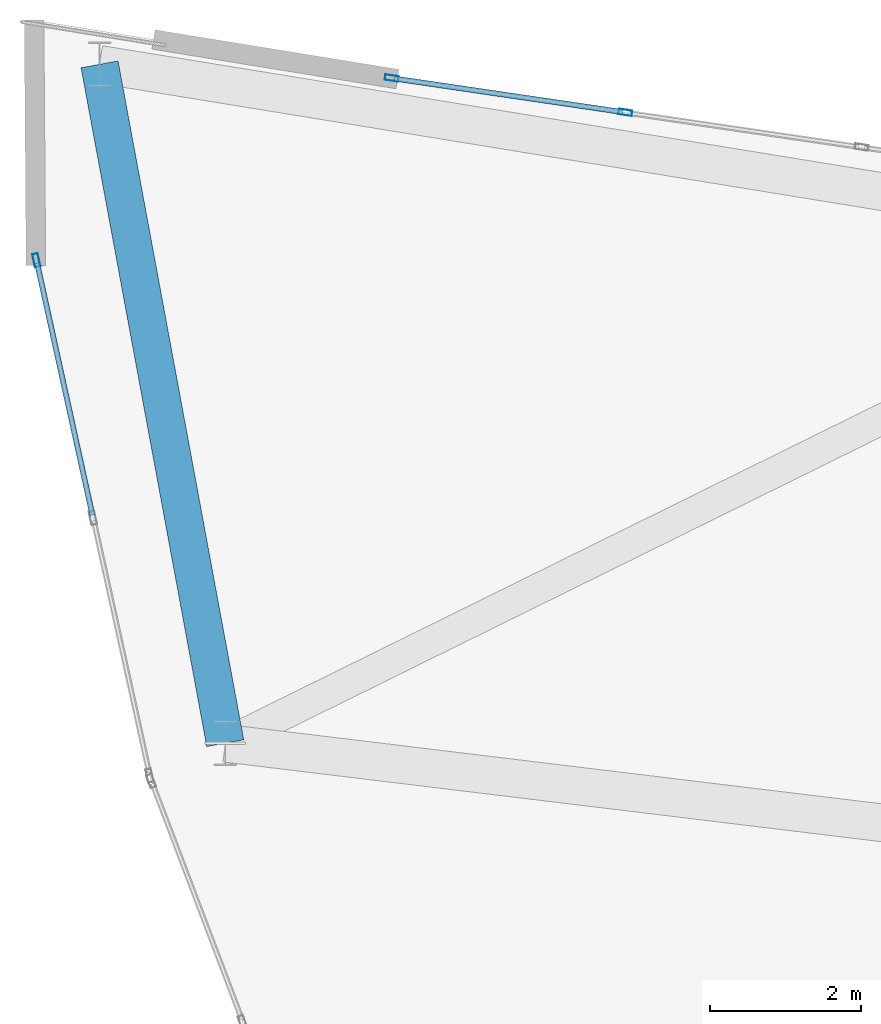
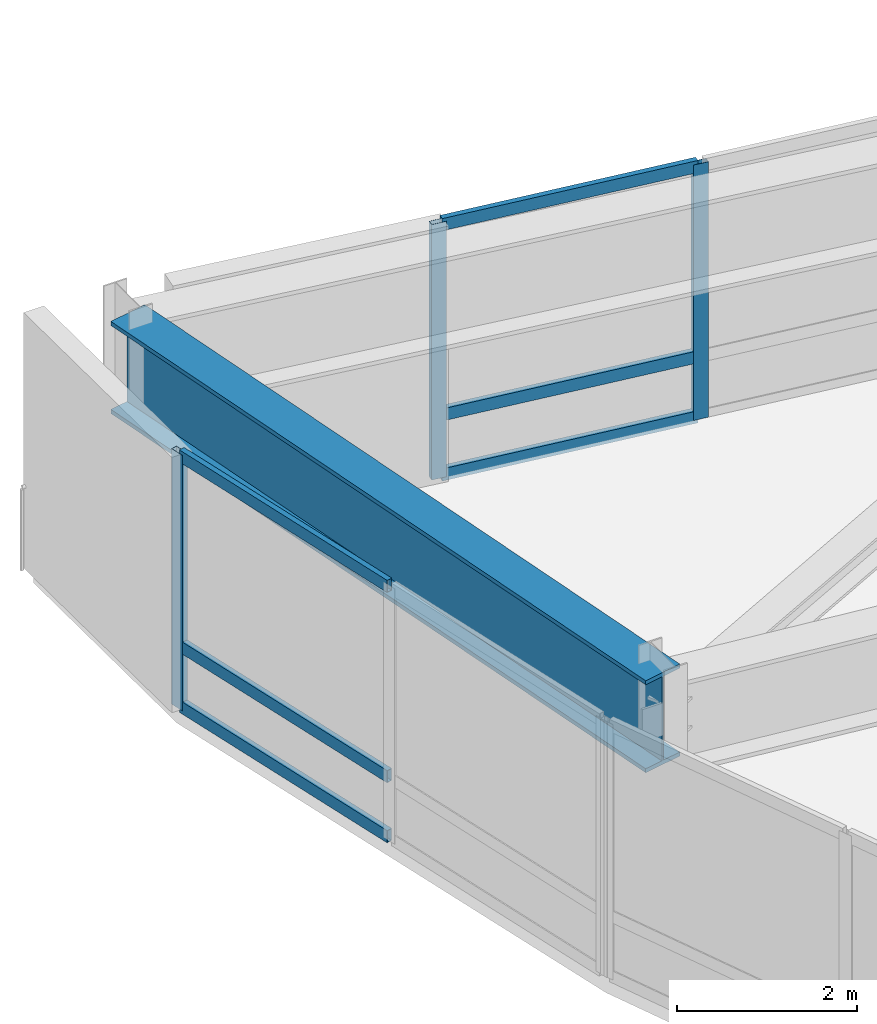
# One storey, part 10 of 23: 9 members, 1 beam, 2 elements without a shape of their own.
"""IFC4 building model written with IfcOpenShell, lengths in metres."""

from ifc_helpers import new_model, si_unit, direction, frame, origin, origin_2d, place, context, subcontext, project, spatial, hollow_rectangle, i_section, extrude, material, layer, layer_set, material_profile, profile_set, type_object, element, aggregate, save


model = new_model("IFC4")

# Units and contexts
model_context = context("Model", 3, precision=1e-05, world=origin(), true_north=direction((0.0, 1.0)))
body_context = subcontext(model_context, "Body", "Model", "MODEL_VIEW")
ifc_project = project(units=[si_unit("LENGTHUNIT", "METRE"), si_unit("AREAUNIT", "SQUARE_METRE"), si_unit("VOLUMEUNIT", "CUBIC_METRE"), si_unit("PLANEANGLEUNIT", "RADIAN"), si_unit("MASSUNIT", "GRAM", prefix="KILO")], contexts=[model_context])

# Site, building, storey
site_placement = place(None, origin())
site = spatial("IfcSite", under=ifc_project, at=site_placement, CompositionType="ELEMENT")
building_placement = place(site_placement, origin())
building = spatial("IfcBuilding", under=site, at=building_placement, Name="Menara Vayukalpa", CompositionType="ELEMENT")
storey_placement = place(building_placement, frame((0.0, 0.0, 111.419921875)))
storey = spatial("IfcBuildingStorey", under=building, at=storey_placement, Name="L27", CompositionType="ELEMENT", Elevation=111.419921875)

# Beam
ifc_material_1 = material(Name="Steel S460", Category="steel")
ifc_material_profile_1 = material_profile(ifc_material_1, i_section(OverallWidth=0.5, OverallDepth=1.25, WebThickness=0.028076171875, FlangeThickness=0.054931640625, at=origin_2d()), Name="WG 1250x500x28x55")
ifc_profile_set_1 = profile_set([ifc_material_profile_1], Name="Steel S460")
beam_type = type_object("IfcBeamType", Name="BM-TG2", PredefinedType="BEAM", material=ifc_profile_set_1)
beam_placement = place(storey_placement, frame((-0.4287109375, 38.2373046875, 2.844970703125), z_axis=(0.182027272378, -0.983293482187, 0.0), x_axis=(0.983293482187, 0.182027272378, 0.0)))
element("IfcBeam", 1, at=beam_placement, inside=storey, type_object=beam_type, Name="L27 SB2 Sky Bar Edge Girder 1", PredefinedType="BEAM", context=body_context, shape_type="SweptSolid", body=[
    extrude(i_section(OverallWidth=0.5, OverallDepth=1.25, WebThickness=0.028076171875, FlangeThickness=0.054931640625, at=origin_2d()), origin(), (0.0, 0.0, 1.0), 9.167236328125),
])

# Curtain wall, members
ifc_material_2 = material(Name="Anodised Terracotta Aluminium Alloy 6063-T6", Category="masonry")
ifc_layer = layer(ifc_material_2, 0.179931640625)
ifc_layer_set = layer_set([ifc_layer], Name="Anodised Terracotta Aluminium Alloy 6063-T6")
curtain_wall_type = type_object("IfcCurtainWallType", Name="CW-CW4", PredefinedType="USERDEFINED", material=ifc_layer_set)
curtain_wall_1_placement = place(storey_placement, origin())
curtain_wall_1 = element("IfcCurtainWall", 2, at=curtain_wall_1_placement, inside=storey, type_object=curtain_wall_type, Name="L27 Sky Bar Cantilever Glazed Curtain Wall CW4 07", ObjectType="UNITISED", PredefinedType="USERDEFINED")
ifc_material_3 = material(Name="Anodised Terracotta Aluminium Alloy 6063-T6", Category="masonry")
ifc_material_profile_2 = material_profile(ifc_material_3, hollow_rectangle(XDim=0.074951171875, YDim=0.179931640625, WallThickness=0.00390625, at=origin_2d()), Name="ALU 75x180x4")
ifc_profile_set_2 = profile_set([ifc_material_profile_2], Name="Anodised Terracotta Aluminium Alloy 6063-T6")
member_type_1 = type_object("IfcMemberType", Name="CWM-CW4", PredefinedType="MULLION", material=ifc_profile_set_2)
member_1_placement = place(storey_placement, frame((6.552001953125, 37.598876953125, 0.0), z_axis=(0.0, 0.0, 1.0), x_axis=(-0.145450733924, -0.989365495659, 0.0)))
member_1 = element("IfcMember", 3, at=member_1_placement, type_object=member_type_1, Name="CW4 mullion 3", PredefinedType="MULLION", context=body_context, shape_type="SweptSolid", body=[
    extrude(hollow_rectangle(XDim=0.074951171875, YDim=0.179931640625, WallThickness=0.00390625, at=origin_2d()), origin(), (0.0, 0.0, 1.0), 3.469970703125),
])
member_2_placement = place(storey_placement, frame((3.4501953125, 38.054931640625, 0.0), z_axis=(0.0, 0.0, 1.0), x_axis=(-0.145450733924, -0.989365495659, 0.0)))
member_2 = element("IfcMember", 4, at=member_2_placement, type_object=member_type_1, Name="CW4 mullion 4", PredefinedType="MULLION", context=body_context, shape_type="SweptSolid", body=[
    extrude(hollow_rectangle(XDim=0.074951171875, YDim=0.179931640625, WallThickness=0.00390625, at=origin_2d()), origin(), (0.0, 0.0, 1.0), 3.469970703125),
])

# Curtain wall, member
curtain_wall_2_placement = place(storey_placement, origin())
curtain_wall_2 = element("IfcCurtainWall", 5, at=curtain_wall_2_placement, inside=storey, type_object=curtain_wall_type, Name="L27 Sky Bar Cantilever Glazed Curtain Wall CW4 10", ObjectType="UNITISED", PredefinedType="USERDEFINED")
member_3_placement = place(storey_placement, frame((-1.267333984375, 35.635986328125, 0.0), z_axis=(0.0, 0.0, 1.0), x_axis=(0.976721757533, 0.214510159112, 0.0)))
member_3 = element("IfcMember", 6, at=member_3_placement, type_object=member_type_1, Name="CW4 mullion 1", PredefinedType="MULLION", context=body_context, shape_type="SweptSolid", body=[
    extrude(hollow_rectangle(XDim=0.074951171875, YDim=0.179931640625, WallThickness=0.00390625, at=origin_2d()), origin(), (0.0, 0.0, 1.0), 3.469970703125),
])

# Member
ifc_material_4 = material(Name="Anodised Terracotta Aluminium Alloy 6063-T6", Category="masonry")
ifc_material_profile_3 = material_profile(ifc_material_4, hollow_rectangle(XDim=0.070068359375, YDim=0.1650390625, WallThickness=0.00390625, at=origin_2d()), Name="ALU 70x165x4")
ifc_profile_set_3 = profile_set([ifc_material_profile_3], Name="Anodised Terracotta Aluminium Alloy 6063-T6")
member_type_2 = type_object("IfcMemberType", Name="CWT-CW4", PredefinedType="USERDEFINED", material=ifc_profile_set_3)
member_4_placement = place(storey_placement, frame((6.514892578125, 37.604248046875, 0.03515625), z_axis=(-0.989366902659, 0.145441163096, 0.0), x_axis=(-0.145441163096, -0.989366902659, 0.0)))
member_4 = element("IfcMember", 7, at=member_4_placement, type_object=member_type_2, Name="CW4 transom 3.1", ObjectType="TRANSOM", PredefinedType="USERDEFINED", context=body_context, shape_type="SweptSolid", body=[
    extrude(hollow_rectangle(XDim=0.070068359375, YDim=0.1650390625, WallThickness=0.00390625, at=origin_2d()), origin(), (0.0, 0.0, 1.0), 3.06005859375),
])

member_5_placement = place(storey_placement, frame((6.514892578125, 37.604248046875, 0.85009765625), z_axis=(-0.989366902659, 0.145441163096, 0.0), x_axis=(-0.145441163096, -0.989366902659, 0.0)))
member_5 = element("IfcMember", 8, at=member_5_placement, type_object=member_type_2, Name="CW4 transom 3.2", ObjectType="TRANSOM", PredefinedType="USERDEFINED", context=body_context, shape_type="SweptSolid", body=[
    extrude(hollow_rectangle(XDim=0.070068359375, YDim=0.1650390625, WallThickness=0.00390625, at=origin_2d()), origin(), (0.0, 0.0, 1.0), 3.06005859375),
])

member_6_placement = place(storey_placement, frame((6.514892578125, 37.604248046875, 3.43505859375), z_axis=(-0.989366902659, 0.145441163096, 0.0), x_axis=(-0.145441163096, -0.989366902659, 0.0)))
member_6 = element("IfcMember", 9, at=member_6_placement, type_object=member_type_2, Name="CW4 transom 3.3", ObjectType="TRANSOM", PredefinedType="USERDEFINED", context=body_context, shape_type="SweptSolid", body=[
    extrude(hollow_rectangle(XDim=0.070068359375, YDim=0.1650390625, WallThickness=0.00390625, at=origin_2d()), origin(), (0.0, 0.0, 1.0), 3.06005859375),
])

aggregate(curtain_wall_1, [member_1, member_2, member_4, member_5, member_6])

member_7_placement = place(storey_placement, frame((-1.25927734375, 35.599365234375, 0.03515625), z_axis=(0.21453159436, -0.976717049621, 0.0), x_axis=(0.976717049621, 0.21453159436, 0.0)))
member_7 = element("IfcMember", 10, at=member_7_placement, type_object=member_type_2, Name="CW4 transom 1.1", ObjectType="TRANSOM", PredefinedType="USERDEFINED", context=body_context, shape_type="SweptSolid", body=[
    extrude(hollow_rectangle(XDim=0.070068359375, YDim=0.1650390625, WallThickness=0.00390625, at=origin_2d()), origin(), (0.0, 0.0, 1.0), 3.427734375),
])

member_8_placement = place(storey_placement, frame((-1.25927734375, 35.599365234375, 0.85009765625), z_axis=(0.21453159436, -0.976717049621, 0.0), x_axis=(0.976717049621, 0.21453159436, 0.0)))
member_8 = element("IfcMember", 11, at=member_8_placement, type_object=member_type_2, Name="CW4 transom 1.2", ObjectType="TRANSOM", PredefinedType="USERDEFINED", context=body_context, shape_type="SweptSolid", body=[
    extrude(hollow_rectangle(XDim=0.070068359375, YDim=0.1650390625, WallThickness=0.00390625, at=origin_2d()), origin(), (0.0, 0.0, 1.0), 3.427734375),
])

member_9_placement = place(storey_placement, frame((-1.25927734375, 35.599365234375, 3.43505859375), z_axis=(0.21453159436, -0.976717049621, 0.0), x_axis=(0.976717049621, 0.21453159436, 0.0)))
member_9 = element("IfcMember", 12, at=member_9_placement, type_object=member_type_2, Name="CW4 transom 1.3", ObjectType="TRANSOM", PredefinedType="USERDEFINED", context=body_context, shape_type="SweptSolid", body=[
    extrude(hollow_rectangle(XDim=0.070068359375, YDim=0.1650390625, WallThickness=0.00390625, at=origin_2d()), origin(), (0.0, 0.0, 1.0), 3.427734375),
])

aggregate(curtain_wall_2, [member_3, member_7, member_8, member_9])

save(model, "model.ifc")
